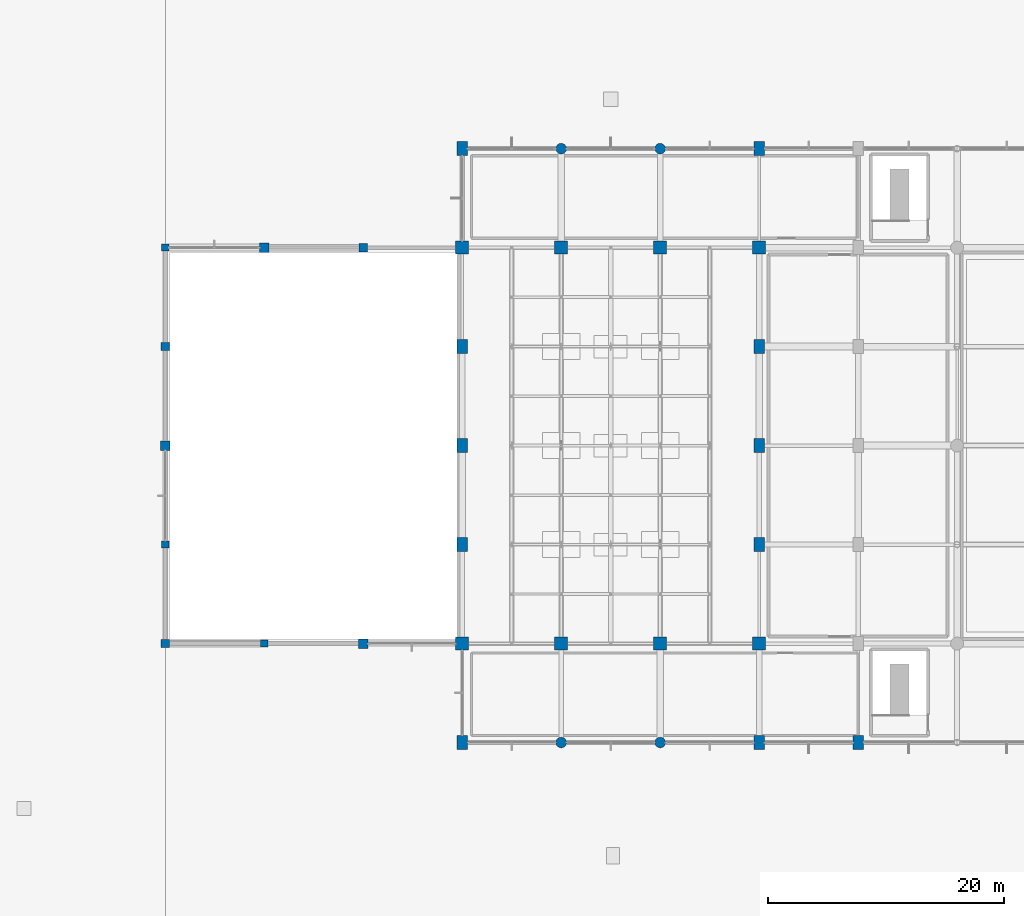
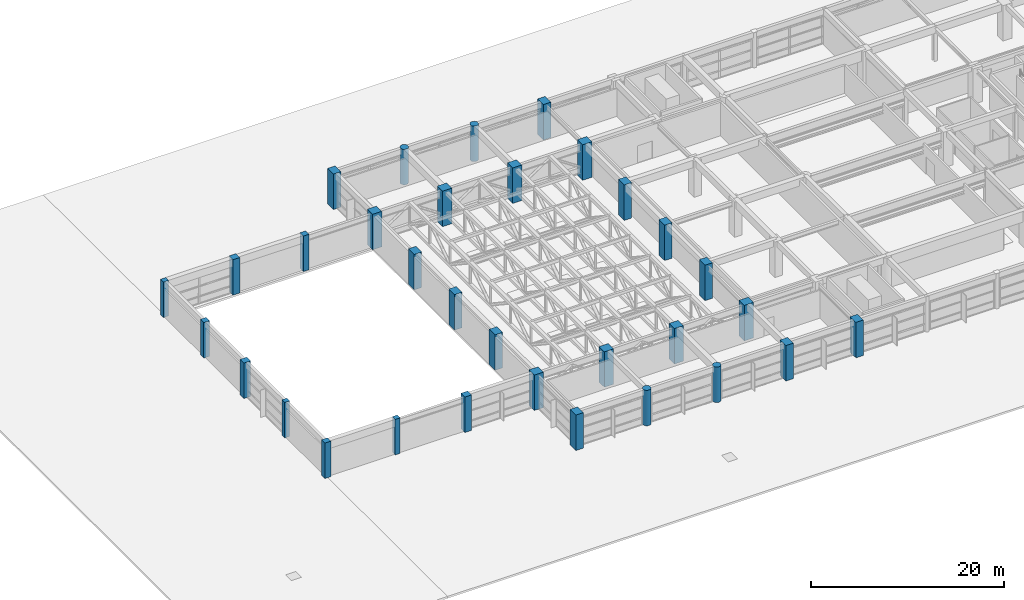
# One storey, part 1 of 47: 32 columns.
"""IFC4 building model written with IfcOpenShell, lengths in metres."""

import ifcopenshell
import ifcopenshell.guid

model = None  # the IFC model being written
_history = None  # IfcOwnerHistory: only IFC2X3 demands one
_inside = {}  # id of a spatial element -> (the spatial element, [elements in it])
_under = {}  # id of a project, library or spatial element -> (it, [spatial elements below it])
_declared = {}  # id of a project -> (the project, [libraries it declares])
_typed = {}  # id of a type object -> (the type object, [elements of that type])
_made_of = {}  # id of a material, layer set ... -> (it, [elements and type objects made of it])


def new_model(schema):
    """Start an empty IFC model of exactly this schema.

    Asked for "IFC4X3", IfcOpenShell would pick the latest addendum, in which some entities
    have other attributes; the version numbers below select the first issue.
    IFC2X3 requires an IfcOwnerHistory on every rooted entity: one is made here for all.
    """
    global model, _history
    if schema == "IFC4X3":
        model = ifcopenshell.file(schema_version=(4, 3, 0, 0))
    else:
        model = ifcopenshell.file(schema=schema)
    _inside.clear()
    _under.clear()
    _declared.clear()
    _typed.clear()
    _made_of.clear()
    _history = None
    if model.schema == "IFC2X3":
        org = make("IfcOrganization", Name="unknown")
        user = make(
            "IfcPersonAndOrganization",
            ThePerson=make("IfcPerson", FamilyName="unknown"),
            TheOrganization=org,
        )
        app = make(
            "IfcApplication",
            ApplicationDeveloper=org,
            Version="unknown",
            ApplicationFullName="unknown",
            ApplicationIdentifier="unknown",
        )
        _history = make(
            "IfcOwnerHistory",
            OwningUser=user,
            OwningApplication=app,
            ChangeAction="ADDED",
            CreationDate=0,
        )
    return model


def make(cls, **values):
    """One entity of the class cls with the attributes given. An attribute that is None is left unset."""
    return model.create_entity(
        cls, **{name: value for name, value in values.items() if value is not None}
    )


def rooted(cls, **values):
    """An entity with a GlobalId (a new one), such as an element, a storey or a relation."""
    return make(cls, GlobalId=ifcopenshell.guid.new(), OwnerHistory=_history, **values)


def si_unit(unit_type, name, prefix=None):
    """IfcSIUnit, for example si_unit("LENGTHUNIT", "METRE", prefix="MILLI")."""
    return make("IfcSIUnit", UnitType=unit_type, Prefix=prefix, Name=name)


def assignment(units):
    """IfcUnitAssignment: the units of a project."""
    return None if units is None else make("IfcUnitAssignment", Units=units)


def point(xyz):
    """IfcCartesianPoint."""
    return None if xyz is None else make("IfcCartesianPoint", Coordinates=xyz)


def direction(xyz):
    """IfcDirection."""
    return None if xyz is None else make("IfcDirection", DirectionRatios=xyz)


def frame(location, z_axis=None, x_axis=None):
    """IfcAxis2Placement3D, a coordinate frame: its origin and axes. An axis left out is left unset."""
    return make(
        "IfcAxis2Placement3D",
        Location=point(location),
        Axis=direction(z_axis),
        RefDirection=direction(x_axis),
    )


def frame_2d(location, x_axis=None):
    """IfcAxis2Placement2D, a coordinate frame in the plane: its origin and x axis."""
    return make(
        "IfcAxis2Placement2D", Location=point(location), RefDirection=direction(x_axis)
    )


def origin():
    """The frame at (0, 0, 0) with its axes left unset."""
    return frame((0.0, 0.0, 0.0))


def origin_2d():
    """The frame at (0, 0) in the plane with its x axis left unset."""
    return frame_2d((0.0, 0.0))


def place(relative_to, where):
    """IfcLocalPlacement: puts the frame where relative to a parent placement (None: the world)."""
    return make(
        "IfcLocalPlacement", PlacementRelTo=relative_to, RelativePlacement=where
    )


def context(
    kind, dimensions, precision=None, world=None, true_north=None, identifier=None
):
    """IfcGeometricRepresentationContext, for example the 3D "Model" context."""
    return make(
        "IfcGeometricRepresentationContext",
        ContextIdentifier=identifier,
        ContextType=kind,
        CoordinateSpaceDimension=dimensions,
        Precision=precision,
        WorldCoordinateSystem=world,
        TrueNorth=true_north,
    )


def subcontext(parent, identifier, kind, view, scale=None):
    """IfcGeometricRepresentationSubContext, for example "Body" below "Model"."""
    return make(
        "IfcGeometricRepresentationSubContext",
        ContextIdentifier=identifier,
        ContextType=kind,
        ParentContext=parent,
        TargetScale=scale,
        TargetView=view,
    )


def project(units=None, contexts=None):
    """IfcProject with its units and contexts."""
    return rooted(
        "IfcProject",
        Name="project",
        RepresentationContexts=contexts,
        UnitsInContext=assignment(units),
    )


def spatial(cls, under=None, at=None, **own):
    """A site, building, storey or space (cls), placed at a placement, below another one or the project."""
    s = rooted(cls, ObjectPlacement=at, **own)
    if under is not None:
        _under.setdefault(under.id(), (under, []))[1].append(s)
    return s


def profile(cls, at=None, kind="AREA", **sizes):
    """A parametric profile (cls). Its sizes go by their IFC names, for example OverallWidth=200.0."""
    return make(cls, ProfileType=kind, Position=at, **sizes)


def rectangle(**sizes):
    """IfcRectangleProfileDef."""
    return profile("IfcRectangleProfileDef", **sizes)


def circle(**sizes):
    """IfcCircleProfileDef."""
    return profile("IfcCircleProfileDef", **sizes)


def extrude(swept, where, along, depth):
    """IfcExtrudedAreaSolid: the profile swept, set in the frame where, extruded along a direction by depth."""
    return make(
        "IfcExtrudedAreaSolid",
        SweptArea=swept,
        Position=where,
        ExtrudedDirection=direction(along),
        Depth=depth,
    )


def shape(context_of_items, identifier, shape_type, items):
    """IfcShapeRepresentation: the items that make up one representation, for example the "Body"."""
    return make(
        "IfcShapeRepresentation",
        ContextOfItems=context_of_items,
        RepresentationIdentifier=identifier,
        RepresentationType=shape_type,
        Items=items,
    )


def material(Name=None, Category=None):
    """IfcMaterial."""
    return make("IfcMaterial", Name=Name, Category=Category)


def material_profile(
    of_material, cross_section, Name=None, Category=None, Priority=None
):
    """IfcMaterialProfile: a cross section and its material."""
    return make(
        "IfcMaterialProfile",
        Name=Name,
        Material=of_material,
        Profile=cross_section,
        Priority=Priority,
        Category=Category,
    )


def profile_set(profiles, Name=None, composite=None):
    """IfcMaterialProfileSet."""
    return make(
        "IfcMaterialProfileSet",
        Name=Name,
        MaterialProfiles=profiles,
        CompositeProfile=composite,
    )


def made_of(thing, what):
    """Note that an element or type object is made of a material, layer set ...; save() writes the relation."""
    if what is not None:
        _made_of.setdefault(what.id(), (what, []))[1].append(thing)
    return thing


def type_object(cls, material=None, **own):
    """A type object (cls), such as IfcWallType, which elements share."""
    return made_of(rooted(cls, **own), material)


def element(
    cls,
    number,
    at=None,
    inside=None,
    cuts=None,
    type_object=None,
    material=None,
    context=None,
    identifier="Body",
    shape_type=None,
    held_by="IfcProductDefinitionShape",
    body=None,
    shapes=None,
    **own,
):
    """One element of the class cls, such as IfcWall. Its Tag is "e" and its number.

    at: its placement. inside: the storey or other place that contains it. cuts: it is an
    opening in that element (IfcRelVoidsElement). A single representation is given by context,
    identifier, shape_type and body (its items); several are given by shapes. held_by: the class
    of the entity that holds the representations. save() writes the other relations.
    """
    e = rooted(cls, Tag="e%d" % number, ObjectPlacement=at, **own)
    if body is not None:
        shapes = [shape(context, identifier, shape_type, body)]
    if shapes is not None:
        e.Representation = make(held_by, Representations=shapes)
    if inside is not None:
        _inside.setdefault(inside.id(), (inside, []))[1].append(e)
    if cuts is not None:
        rooted(
            "IfcRelVoidsElement", RelatingBuildingElement=cuts, RelatedOpeningElement=e
        )
    if type_object is not None:
        _typed.setdefault(type_object.id(), (type_object, []))[1].append(e)
    return made_of(e, material)


def aggregate(whole, parts):
    """IfcRelAggregates: a whole, such as a stair, and the parts it consists of."""
    return rooted("IfcRelAggregates", RelatingObject=whole, RelatedObjects=parts)


def save(model, path):
    """Write the relations noted so far, then the file.

    IfcRelAggregates (storeys below a building ...), IfcRelContainedInSpatialStructure (elements
    in a storey), IfcRelDefinesByType, IfcRelAssociatesMaterial and IfcRelDeclares: one each for
    every whole, place, type object, material and project.
    """
    for whole, parts in _under.values():
        aggregate(whole, parts)
    for where, things in _inside.values():
        rooted(
            "IfcRelContainedInSpatialStructure",
            RelatedElements=things,
            RelatingStructure=where,
        )
    for kind, things in _typed.values():
        rooted("IfcRelDefinesByType", RelatedObjects=things, RelatingType=kind)
    for what, things in _made_of.values():
        rooted("IfcRelAssociatesMaterial", RelatedObjects=things, RelatingMaterial=what)
    for by, libraries in _declared.values():
        rooted("IfcRelDeclares", RelatingContext=by, RelatedDefinitions=libraries)
    model.write(path)


model = new_model("IFC4")

# Units and contexts
model_context = context("Model", 3, precision=1e-05, world=origin(), true_north=direction((0.0, 1.0)))
body_context = subcontext(model_context, "Body", "Model", "MODEL_VIEW")
ifc_project = project(units=[si_unit("LENGTHUNIT", "METRE"), si_unit("AREAUNIT", "SQUARE_METRE"), si_unit("VOLUMEUNIT", "CUBIC_METRE"), si_unit("PLANEANGLEUNIT", "RADIAN"), si_unit("MASSUNIT", "GRAM", prefix="KILO")], contexts=[model_context])

# Site, building, storey
site_placement = place(None, origin())
site = spatial("IfcSite", under=ifc_project, at=site_placement, CompositionType="ELEMENT")
building_placement = place(site_placement, origin())
building = spatial("IfcBuilding", under=site, at=building_placement, Name="Xuanlan Plaza Opera House", CompositionType="ELEMENT")
storey_placement = place(building_placement, frame((0.0, 0.0, 23.39990234375)))
storey = spatial("IfcBuildingStorey", under=building, at=storey_placement, Name="L05", CompositionType="ELEMENT", Elevation=23.39990234375)

# Columns
ifc_material_1 = material(Name="Concrete C50", Category="concrete")
ifc_material_profile_1 = material_profile(ifc_material_1, rectangle(XDim=1.10009765625, YDim=1.10009765625, at=origin_2d()), Name="RC-COL 1100x1100")
ifc_profile_set_1 = profile_set([ifc_material_profile_1], Name="Concrete C50")
column_type_1 = type_object("IfcColumnType", Name="STR-COL-C-03", PredefinedType="COLUMN", material=ifc_profile_set_1)
for number, where, z_axis, x_axis, name in (
    (1, (67.199951171875, 42.0, 0.0), (0.0, 0.0, 1.0), (1.0, 0.0, 0.0), "Column L05 9-F"),
    (2, (67.199951171875, 75.60009765625, 0.0), (0.0, 0.0, 1.0), (1.0, 0.0, 0.0), "Column L05 9-J"),
    (3, (75.60009765625, 42.0, 0.0), (0.0, 0.0, 1.0), (1.0, 0.0, 0.0), "Column L05 10-F"),
    (4, (75.60009765625, 75.60009765625, 0.0), (0.0, 0.0, 1.0), (1.0, 0.0, 0.0), "Column L05 10-J"),
    (5, (84.0, 42.0, 0.0), (0.0, 0.0, 1.0), (1.0, 0.0, 0.0), "Column L05 11-F"),
    (6, (84.0, 75.60009765625, 0.0), (0.0, 0.0, 1.0), (1.0, 0.0, 0.0), "Column L05 11-J"),
    (7, (92.39990234375, 42.0, 0.0), (0.0, 0.0, 1.0), (1.0, 0.0, 0.0), "Column L05 12-F"),
    (8, (92.39990234375, 75.60009765625, 0.0), (0.0, 0.0, 1.0), (1.0, 0.0, 0.0), "Column L05 12-J"),
):
    element("IfcColumn", number, at=place(storey_placement, frame(where, z_axis=z_axis, x_axis=x_axis)), inside=storey, type_object=column_type_1, Name=name, PredefinedType="COLUMN", context=body_context, shape_type="SweptSolid", body=[
        extrude(rectangle(XDim=1.10009765625, YDim=1.10009765625, at=origin_2d()), origin(), (0.0, 0.0, 1.0), 4.5),
    ])
ifc_material_2 = material(Name="Concrete C40", Category="concrete")
ifc_material_profile_2 = material_profile(ifc_material_2, rectangle(XDim=0.800048828125, YDim=0.800048828125, at=origin_2d()), Name="RC-COL 800x800")
ifc_profile_set_2 = profile_set([ifc_material_profile_2], Name="Concrete C40")
column_type_2 = type_object("IfcColumnType", Name="STR-COL-C-06", PredefinedType="COLUMN", material=ifc_profile_set_2)
for number, where, z_axis, x_axis, name in (
    (9, (42.0, 58.800048828125, 0.0), (0.0, 0.0, 1.0), (1.0, 0.0, 0.0), "Column L05 6-H"),
    (10, (50.39990234375, 75.60009765625, 0.0), (0.0, 0.0, 1.0), (1.0, 0.0, 0.0), "Column L05 7-J"),
    (11, (58.800048828125, 42.0, 0.0), (0.0, 0.0, 1.0), (1.0, 0.0, 0.0), "Column L05 8-F"),
):
    element("IfcColumn", number, at=place(storey_placement, frame(where, z_axis=z_axis, x_axis=x_axis)), inside=storey, type_object=column_type_2, Name=name, PredefinedType="COLUMN", context=body_context, shape_type="SweptSolid", body=[
        extrude(rectangle(XDim=0.800048828125, YDim=0.800048828125, at=origin_2d()), origin(), (0.0, 0.0, 1.0), 4.5),
    ])
ifc_material_profile_3 = material_profile(ifc_material_2, rectangle(XDim=0.699951171875, YDim=0.699951171875, at=origin_2d()), Name="RC-COL 700x700")
ifc_profile_set_3 = profile_set([ifc_material_profile_3], Name="Concrete C40")
column_type_3 = type_object("IfcColumnType", Name="STR-COL-C-07", PredefinedType="COLUMN", material=ifc_profile_set_3)
for number, where, z_axis, x_axis, name in (
    (12, (42.0, 42.0, 0.0), (0.0, 0.0, 1.0), (1.0, 0.0, 0.0), "Column L05 6-F"),
    (13, (42.0, 67.199951171875, 0.0), (0.0, 0.0, 1.0), (1.0, 0.0, 0.0), "Column L05 6-I"),
    (14, (58.800048828125, 75.60009765625, 0.0), (0.0, 0.0, 1.0), (1.0, 0.0, 0.0), "Column L05 8-J"),
):
    element("IfcColumn", number, at=place(storey_placement, frame(where, z_axis=z_axis, x_axis=x_axis)), inside=storey, type_object=column_type_3, Name=name, PredefinedType="COLUMN", context=body_context, shape_type="SweptSolid", body=[
        extrude(rectangle(XDim=0.699951171875, YDim=0.699951171875, at=origin_2d()), origin(), (0.0, 0.0, 1.0), 4.5),
    ])
ifc_material_profile_4 = material_profile(ifc_material_2, rectangle(XDim=0.60009765625, YDim=0.60009765625, at=origin_2d()), Name="RC-COL 600x600")
ifc_profile_set_4 = profile_set([ifc_material_profile_4], Name="Concrete C40")
column_type_4 = type_object("IfcColumnType", Name="STR-COL-C-08", PredefinedType="COLUMN", material=ifc_profile_set_4)
for number, where, z_axis, x_axis, name in (
    (15, (42.0, 50.39990234375, 0.0), (0.0, 0.0, 1.0), (1.0, 0.0, 0.0), "Column L05 6-G"),
    (16, (42.0, 75.60009765625, 0.0), (0.0, 0.0, 1.0), (1.0, 0.0, 0.0), "Column L05 6-J"),
    (17, (50.39990234375, 42.0, 0.0), (0.0, 0.0, 1.0), (1.0, 0.0, 0.0), "Column L05 7-F"),
):
    element("IfcColumn", number, at=place(storey_placement, frame(where, z_axis=z_axis, x_axis=x_axis)), inside=storey, type_object=column_type_4, Name=name, PredefinedType="COLUMN", context=body_context, shape_type="SweptSolid", body=[
        extrude(rectangle(XDim=0.60009765625, YDim=0.60009765625, at=origin_2d()), origin(), (0.0, 0.0, 1.0), 4.5),
    ])
ifc_material_profile_5 = material_profile(ifc_material_1, rectangle(XDim=0.89990234375, YDim=1.199951171875, at=origin_2d()), Name="RC-COL 900x1200")
ifc_profile_set_5 = profile_set([ifc_material_profile_5], Name="Concrete C50")
column_type_5 = type_object("IfcColumnType", Name="STR-COL-C-10", PredefinedType="COLUMN", material=ifc_profile_set_5)
for number, where, z_axis, x_axis, name in (
    (18, (67.199951171875, 33.60009765625, 0.0), (0.0, 0.0, 1.0), (1.0, 0.0, 0.0), "Column L05 9-E"),
    (19, (67.199951171875, 50.39990234375, 0.0), (0.0, 0.0, 1.0), (1.0, 0.0, 0.0), "Column L05 9-G"),
    (20, (67.199951171875, 58.800048828125, 0.0), (0.0, 0.0, 1.0), (1.0, 0.0, 0.0), "Column L05 9-H"),
    (21, (67.199951171875, 67.199951171875, 0.0), (0.0, 0.0, 1.0), (1.0, 0.0, 0.0), "Column L05 9-I"),
    (22, (67.199951171875, 84.0, 0.0), (0.0, 0.0, 1.0), (1.0, 0.0, 0.0), "Column L05 9-K"),
    (23, (92.39990234375, 33.60009765625, 0.0), (0.0, 0.0, 1.0), (1.0, 0.0, 0.0), "Column L05 12-E"),
    (24, (92.39990234375, 50.39990234375, 0.0), (0.0, 0.0, 1.0), (1.0, 0.0, 0.0), "Column L05 12-G"),
    (25, (92.39990234375, 58.800048828125, 0.0), (0.0, 0.0, 1.0), (1.0, 0.0, 0.0), "Column L05 12-H"),
    (26, (92.39990234375, 67.199951171875, 0.0), (0.0, 0.0, 1.0), (1.0, 0.0, 0.0), "Column L05 12-I"),
    (27, (92.39990234375, 84.0, 0.0), (0.0, 0.0, 1.0), (1.0, 0.0, 0.0), "Column L05 12-K"),
    (28, (100.800048828125, 33.60009765625, 0.0), (0.0, 0.0, 1.0), (1.0, 0.0, 0.0), "Column L05 13-E"),
):
    element("IfcColumn", number, at=place(storey_placement, frame(where, z_axis=z_axis, x_axis=x_axis)), inside=storey, type_object=column_type_5, Name=name, PredefinedType="COLUMN", context=body_context, shape_type="SweptSolid", body=[
        extrude(rectangle(XDim=0.89990234375, YDim=1.199951171875, at=origin_2d()), origin(), (0.0, 0.0, 1.0), 4.5),
    ])
ifc_material_profile_6 = material_profile(ifc_material_2, circle(Radius=0.449951171875, at=origin_2d()), Name="RC-COL D900")
ifc_profile_set_6 = profile_set([ifc_material_profile_6], Name="Concrete C40")
column_type_6 = type_object("IfcColumnType", Name="STR-COL-C-12", PredefinedType="COLUMN", material=ifc_profile_set_6)
for number, where, z_axis, x_axis, name in (
    (29, (75.60009765625, 33.60009765625, 0.0), (0.0, 0.0, 1.0), (1.0, 0.0, 0.0), "Column L05 10-E"),
    (30, (75.60009765625, 84.0, 0.0), (0.0, 0.0, 1.0), (1.0, 0.0, 0.0), "Column L05 10-K"),
    (31, (84.0, 33.60009765625, 0.0), (0.0, 0.0, 1.0), (1.0, 0.0, 0.0), "Column L05 11-E"),
    (32, (84.0, 84.0, 0.0), (0.0, 0.0, 1.0), (1.0, 0.0, 0.0), "Column L05 11-K"),
):
    element("IfcColumn", number, at=place(storey_placement, frame(where, z_axis=z_axis, x_axis=x_axis)), inside=storey, type_object=column_type_6, Name=name, PredefinedType="COLUMN", context=body_context, shape_type="SweptSolid", body=[
        extrude(circle(Radius=0.449951171875, at=origin_2d()), origin(), (0.0, 0.0, 1.0), 4.5),
    ])

save(model, "model.ifc")
